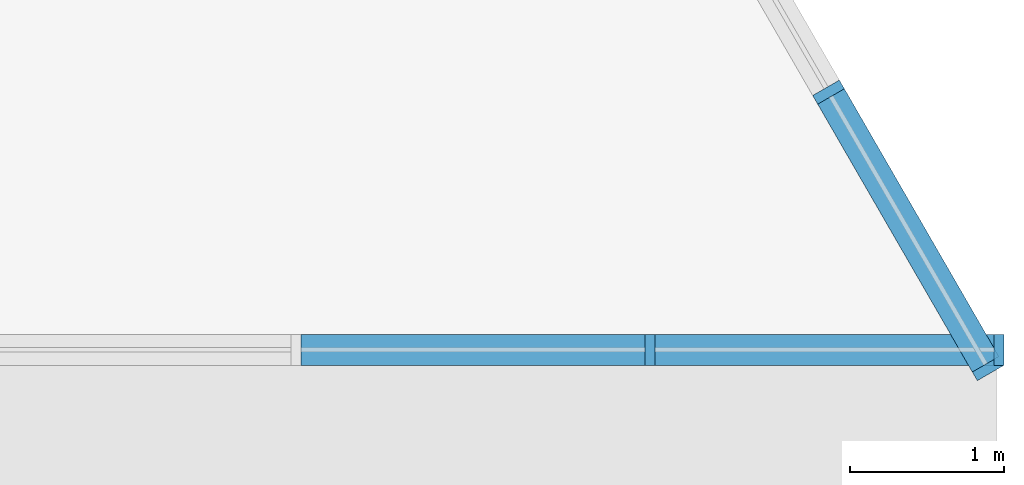
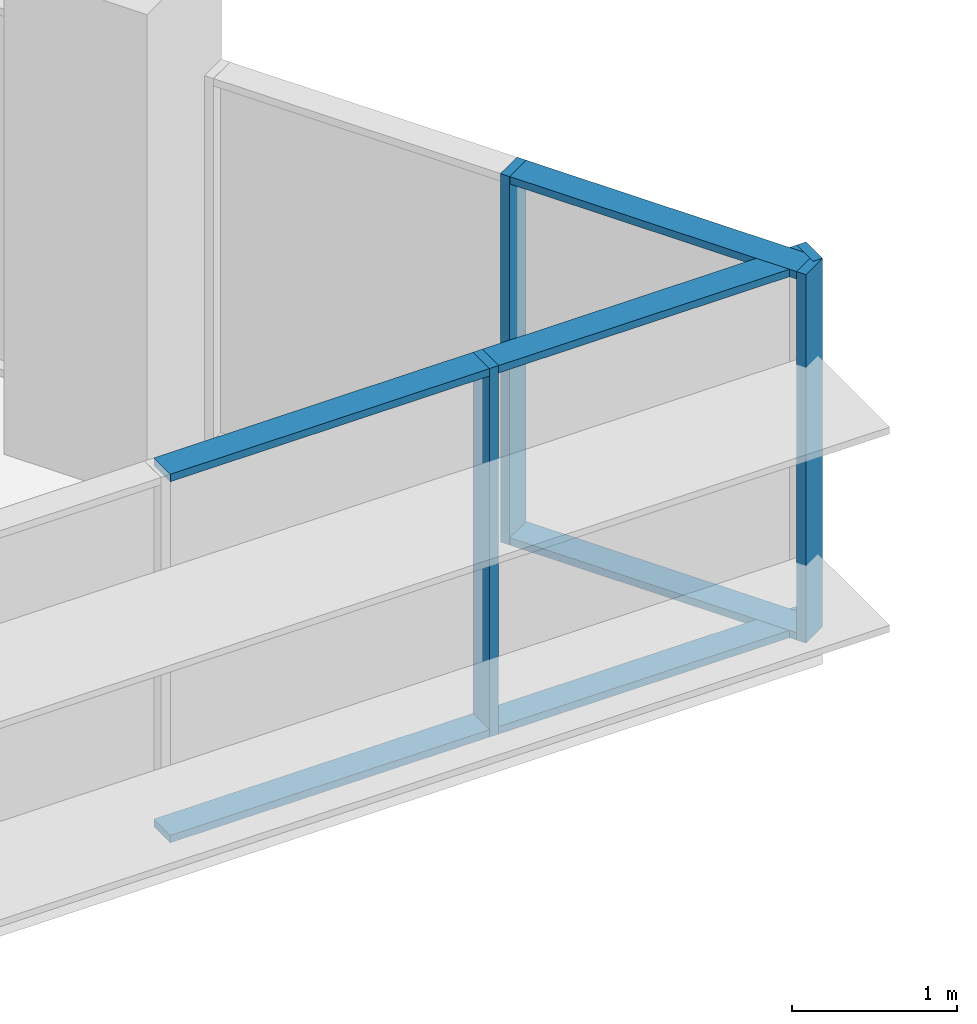
# One storey, part 3 of 10: 10 members, 2 elements without a shape of their own.
"""IFC4 building model written with IfcOpenShell, lengths in metres."""

from ifc_helpers import new_model, si_unit, direction, frame, origin, origin_2d, place, context, subcontext, project, spatial, rectangle, extrude, material, layer, layer_set, material_profile, profile_set, type_object, element, aggregate, save


model = new_model("IFC4")

# Units and contexts
model_context = context("Model", 3, precision=1e-05, world=origin(), true_north=direction((0.0, 1.0)))
body_context = subcontext(model_context, "Body", "Model", "MODEL_VIEW")
ifc_project = project(units=[si_unit("LENGTHUNIT", "METRE"), si_unit("AREAUNIT", "SQUARE_METRE"), si_unit("VOLUMEUNIT", "CUBIC_METRE"), si_unit("PLANEANGLEUNIT", "RADIAN"), si_unit("MASSUNIT", "GRAM", prefix="KILO")], contexts=[model_context])

# Site, building, storey
site_placement = place(None, origin())
site = spatial("IfcSite", under=ifc_project, at=site_placement, CompositionType="ELEMENT")
building_placement = place(site_placement, origin())
building = spatial("IfcBuilding", under=site, at=building_placement, Name="Nakaniwa Court", CompositionType="ELEMENT")
storey_placement = place(building_placement, frame((0.0, 0.0, 290.39990234375)))
storey = spatial("IfcBuildingStorey", under=building, at=storey_placement, Name="C06", CompositionType="ELEMENT", Elevation=290.39990234375)

# Curtain wall, members
ifc_material_1 = material(Name="Black anodised aluminium frame with dark low-E laminated double glazing", Category="aluminium")
ifc_layer = layer(ifc_material_1, 0.199951171875)
ifc_layer_set = layer_set([ifc_layer], Name="Black anodised aluminium frame with dark low-E laminated double glazing")
curtain_wall_type = type_object("IfcCurtainWallType", Name="Crown curtain wall", PredefinedType="NOTDEFINED", material=ifc_layer_set)
curtain_wall_1_placement = place(storey_placement, origin())
curtain_wall_1 = element("IfcCurtainWall", 1, at=curtain_wall_1_placement, inside=storey, type_object=curtain_wall_type, Name="C06 curtain wall CW4 03", PredefinedType="NOTDEFINED")
ifc_material_2 = material(Name="Black anodised aluminium extrusion", Category="aluminium")
ifc_material_profile_1 = material_profile(ifc_material_2, rectangle(XDim=0.199951171875, YDim=0.06494140625, at=origin_2d()), Name="Crown curtain wall mullion 65x200")
ifc_profile_set_1 = profile_set([ifc_material_profile_1], Name="Black anodised aluminium extrusion")
member_type_1 = type_object("IfcMemberType", Name="Crown curtain wall mullion 65x200", PredefinedType="MULLION", material=ifc_profile_set_1)
member_1_placement = place(storey_placement, frame((99.58447265625, 87.5, 0.0), z_axis=(0.0, 0.0, 1.0), x_axis=(0.0, 1.0, 0.0)))
member_1 = element("IfcMember", 2, at=member_1_placement, type_object=member_type_1, Name="CW4 mullion 5", PredefinedType="MULLION", context=body_context, shape_type="SweptSolid", body=[
    extrude(rectangle(XDim=0.199951171875, YDim=0.06494140625, at=origin_2d()), origin(), (0.0, 0.0, 1.0), 2.72509765625),
])
member_2_placement = place(storey_placement, frame((101.84912109375, 87.5, 0.0), z_axis=(0.0, 0.0, 1.0), x_axis=(0.0, 1.0, 0.0)))
member_2 = element("IfcMember", 3, at=member_2_placement, type_object=member_type_1, Name="CW4 mullion 6", PredefinedType="MULLION", context=body_context, shape_type="SweptSolid", body=[
    extrude(rectangle(XDim=0.199951171875, YDim=0.06494140625, at=origin_2d()), origin(), (0.0, 0.0, 1.0), 2.72509765625),
])

curtain_wall_2_placement = place(storey_placement, origin())
curtain_wall_2 = element("IfcCurtainWall", 4, at=curtain_wall_2_placement, inside=storey, type_object=curtain_wall_type, Name="C06 curtain wall CW4 04", PredefinedType="NOTDEFINED")
member_3_placement = place(storey_placement, frame((101.77880859375, 87.378173828125, 0.0), z_axis=(0.0, 0.0, 1.0), x_axis=(-0.866021000852, -0.500007626024, 0.0)))
member_3 = element("IfcMember", 5, at=member_3_placement, type_object=member_type_1, Name="CW4 mullion 1", PredefinedType="MULLION", context=body_context, shape_type="SweptSolid", body=[
    extrude(rectangle(XDim=0.199951171875, YDim=0.06494140625, at=origin_2d()), origin(), (0.0, 0.0, 1.0), 2.72509765625),
])
member_4_placement = place(storey_placement, frame((100.74267578125, 89.172607421875, 0.0), z_axis=(0.0, 0.0, 1.0), x_axis=(-0.866021000852, -0.500007626024, 0.0)))
member_4 = element("IfcMember", 6, at=member_4_placement, type_object=member_type_1, Name="CW4 mullion 2", PredefinedType="MULLION", context=body_context, shape_type="SweptSolid", body=[
    extrude(rectangle(XDim=0.199951171875, YDim=0.06494140625, at=origin_2d()), origin(), (0.0, 0.0, 1.0), 2.72509765625),
])

# Member
ifc_material_profile_2 = material_profile(ifc_material_2, rectangle(XDim=0.199951171875, YDim=0.054931640625, at=origin_2d()), Name="Crown curtain wall transom 55x200")
ifc_profile_set_2 = profile_set([ifc_material_profile_2], Name="Black anodised aluminium extrusion")
member_type_2 = type_object("IfcMemberType", Name="Crown curtain wall transom 55x200", PredefinedType="USERDEFINED", material=ifc_profile_set_2)
member_5_placement = place(storey_placement, frame((97.31982421875, 87.5, 0.027587890625), z_axis=(1.0, 0.0, 0.0), x_axis=(0.0, 1.0, 0.0)))
member_5 = element("IfcMember", 7, at=member_5_placement, type_object=member_type_2, Name="CW4 transom 4.1", ObjectType="TRANSOM", PredefinedType="USERDEFINED", context=body_context, shape_type="SweptSolid", body=[
    extrude(rectangle(XDim=0.199951171875, YDim=0.054931640625, at=origin_2d()), origin(), (0.0, 0.0, 1.0), 2.232177734375),
])

member_6_placement = place(storey_placement, frame((97.31982421875, 87.5, 2.697509765625), z_axis=(1.0, 0.0, 0.0), x_axis=(0.0, 1.0, 0.0)))
member_6 = element("IfcMember", 8, at=member_6_placement, type_object=member_type_2, Name="CW4 transom 4.2", ObjectType="TRANSOM", PredefinedType="USERDEFINED", context=body_context, shape_type="SweptSolid", body=[
    extrude(rectangle(XDim=0.199951171875, YDim=0.054931640625, at=origin_2d()), origin(), (0.0, 0.0, 1.0), 2.232177734375),
])

member_7_placement = place(storey_placement, frame((99.616943359375, 87.5, 0.027587890625), z_axis=(1.0, 0.0, 0.0), x_axis=(0.0, 1.0, 0.0)))
member_7 = element("IfcMember", 9, at=member_7_placement, type_object=member_type_2, Name="CW4 transom 5.1", ObjectType="TRANSOM", PredefinedType="USERDEFINED", context=body_context, shape_type="SweptSolid", body=[
    extrude(rectangle(XDim=0.199951171875, YDim=0.054931640625, at=origin_2d()), origin(), (0.0, 0.0, 1.0), 2.19970703125),
])

member_8_placement = place(storey_placement, frame((99.616943359375, 87.5, 2.697509765625), z_axis=(1.0, 0.0, 0.0), x_axis=(0.0, 1.0, 0.0)))
member_8 = element("IfcMember", 10, at=member_8_placement, type_object=member_type_2, Name="CW4 transom 5.2", ObjectType="TRANSOM", PredefinedType="USERDEFINED", context=body_context, shape_type="SweptSolid", body=[
    extrude(rectangle(XDim=0.199951171875, YDim=0.054931640625, at=origin_2d()), origin(), (0.0, 0.0, 1.0), 2.19970703125),
])

aggregate(curtain_wall_1, [member_1, member_2, member_5, member_6, member_7, member_8])

member_9_placement = place(storey_placement, frame((101.762451171875, 87.40625, 0.027587890625), z_axis=(-0.499933044277, 0.866064057238, 0.0), x_axis=(-0.866064057238, -0.499933044277, 0.0)))
member_9 = element("IfcMember", 11, at=member_9_placement, type_object=member_type_2, Name="CW4 transom 1.1", ObjectType="TRANSOM", PredefinedType="USERDEFINED", context=body_context, shape_type="SweptSolid", body=[
    extrude(rectangle(XDim=0.199951171875, YDim=0.054931640625, at=origin_2d()), origin(), (0.0, 0.0, 1.0), 2.007080078125),
])

member_10_placement = place(storey_placement, frame((101.762451171875, 87.40625, 2.697509765625), z_axis=(-0.499933044277, 0.866064057238, 0.0), x_axis=(-0.866064057238, -0.499933044277, 0.0)))
member_10 = element("IfcMember", 12, at=member_10_placement, type_object=member_type_2, Name="CW4 transom 1.2", ObjectType="TRANSOM", PredefinedType="USERDEFINED", context=body_context, shape_type="SweptSolid", body=[
    extrude(rectangle(XDim=0.199951171875, YDim=0.054931640625, at=origin_2d()), origin(), (0.0, 0.0, 1.0), 2.007080078125),
])

aggregate(curtain_wall_2, [member_3, member_4, member_9, member_10])

save(model, "model.ifc")
